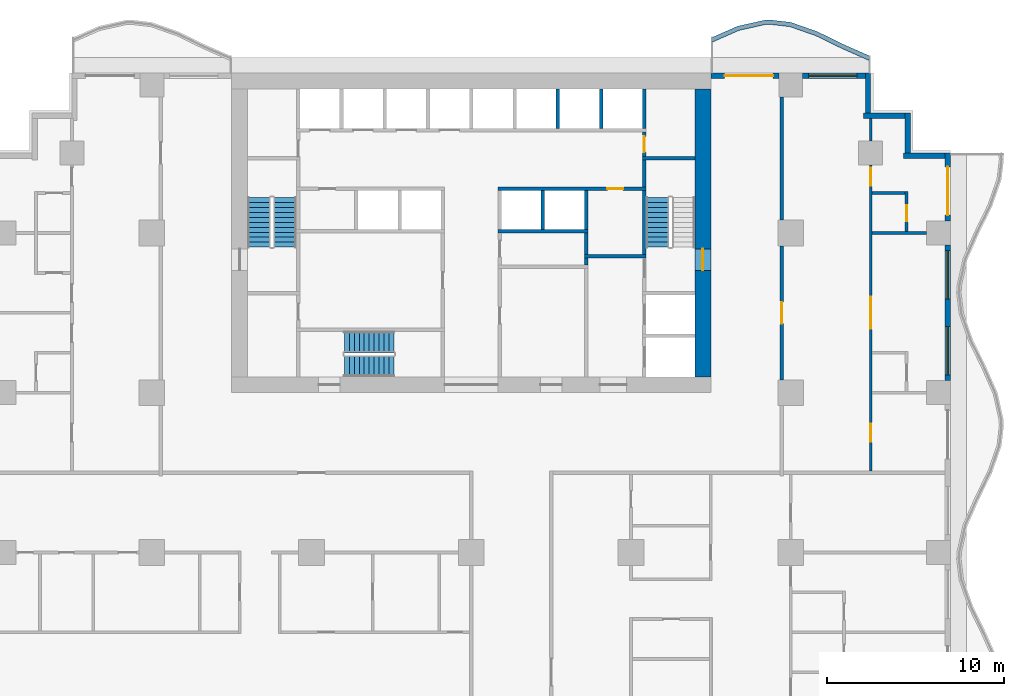
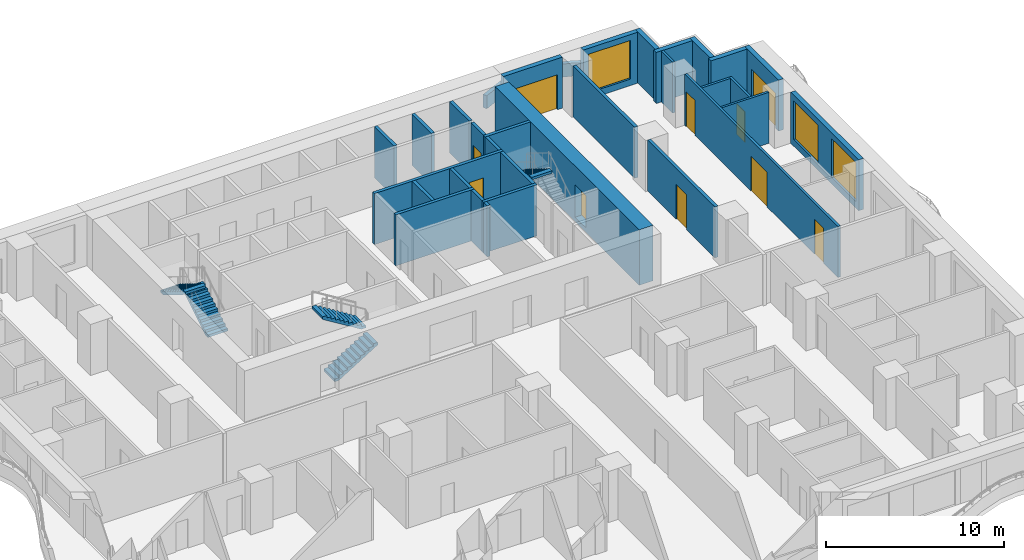
# One storey, part 6 of 14: 31 walls, 10 doors, 5 stair flights, 3 windows, 13 openings, 3 elements without a shape of their own.
"""IFC4 building model written with IfcOpenShell, lengths in metres."""

from ifc_helpers import new_model, si_unit, direction, frame, frame_2d, origin, place, context, subcontext, project, spatial, polyline, rectangle, outline, extrude, material, layer, layer_set, type_object, element, fill, aggregate, save


model = new_model("IFC4")

# Units and contexts
model_context = context("Model", 3, precision=1e-05, world=origin(), true_north=direction((0.0, 1.0)))
body_context = subcontext(model_context, "Body", "Model", "MODEL_VIEW")
ifc_project = project(units=[si_unit("LENGTHUNIT", "METRE"), si_unit("AREAUNIT", "SQUARE_METRE"), si_unit("VOLUMEUNIT", "CUBIC_METRE"), si_unit("PLANEANGLEUNIT", "RADIAN"), si_unit("MASSUNIT", "GRAM", prefix="KILO")], contexts=[model_context])

# Site, building, storey
site_placement = place(None, origin())
site = spatial("IfcSite", under=ifc_project, at=site_placement, CompositionType="ELEMENT")
building_placement = place(site_placement, origin())
building = spatial("IfcBuilding", under=site, at=building_placement, Name="Orbiselva Terraces", CompositionType="ELEMENT")
storey_placement = place(building_placement, frame((0.0, 0.0, 73.2)))
storey = spatial("IfcBuildingStorey", under=building, at=storey_placement, Name="L18", CompositionType="ELEMENT", Elevation=73.2)

# Wall, opening, door
ifc_material_1 = material(Name="Concrete C80/95", Category="concrete")
ifc_layer_1 = layer(ifc_material_1, 0.9)
ifc_layer_set_1 = layer_set([ifc_layer_1], Name="Concrete C80/95")
wall_type_1 = type_object("IfcWallType", Name="CORE WALL 900", PredefinedType="SHEAR", material=ifc_layer_set_1)
wall_1_placement = place(storey_placement, frame((13.05, 5.4, -0.3), z_axis=(0.0, 0.0, 1.0), x_axis=(0.0, 1.0, 0.0)))
wall_1 = element("IfcWall", 1, at=wall_1_placement, inside=storey, type_object=wall_type_1, Name="Core wall L18 east", PredefinedType="SHEAR", context=body_context, shape_type="SweptSolid", body=[
    extrude(rectangle(XDim=16.2, YDim=0.9, at=frame_2d((8.1, 0.0))), origin(), (0.0, 0.0, 1.0), 3.8),
])
opening_1_placement = place(wall_1_placement, frame((6.0, 0.0, 0.3)))
opening_1 = element("IfcOpeningElement", 2, at=opening_1_placement, cuts=wall_1, Name="Opening DS1200", PredefinedType="OPENING", context=body_context, shape_type="SweptSolid", body=[
    extrude(rectangle(XDim=1.2, YDim=2.2, at=frame_2d((0.6, 1.1))), frame((0.0, 0.46, 0.0), z_axis=(0.0, -1.0, 0.0), x_axis=(1.0, 0.0, 0.0)), (0.0, 0.0, 1.0), 0.92),
])
ifc_material_2 = material(Name="Steel fire door", Category="steel")
door_type_1 = type_object("IfcDoorType", Name="STAIR DOOR 1200", OperationType="NOTDEFINED", PredefinedType="DOOR", material=ifc_material_2)
door_1_placement = place(opening_1_placement, frame((1.2, 0.0, 0.0), z_axis=(0.0, 0.0, 1.0), x_axis=(-1.0, 0.0, 0.0)))
door_1 = element("IfcDoor", 3, at=door_1_placement, inside=storey, type_object=door_type_1, Name="L18 EXIT STAIR S2 door", OperationType="SINGLE_SWING_LEFT", OverallHeight=2.2, OverallWidth=1.2, PredefinedType="DOOR", context=body_context, shape_type="SweptSolid", body=[
    extrude(rectangle(XDim=1.2, YDim=2.2, at=frame_2d((0.6, 1.1))), frame((0.0, 0.025, 0.0), z_axis=(0.0, -1.0, 0.0), x_axis=(1.0, 0.0, 0.0)), (0.0, 0.0, 1.0), 0.05),
])
fill(opening_1, door_1)

# Wall
ifc_material_3 = material(Name="Masonry blockwork", Category="masonry")
ifc_layer_2 = layer(ifc_material_3, 0.2)
ifc_layer_set_2 = layer_set([ifc_layer_2], Name="Masonry blockwork")
wall_type_2 = type_object("IfcWallType", Name="CORE-WALL-PARTITION-200", PredefinedType="PARTITIONING", material=ifc_layer_set_2)
wall_2_placement = place(storey_placement, frame((6.475, 12.3, 0.0), z_axis=(0.0, 0.0, 1.0), x_axis=(0.0, 1.0, 0.0)))
element("IfcWall", 4, at=wall_2_placement, inside=storey, type_object=wall_type_2, Name="L18 core wall 35", PredefinedType="PARTITIONING", context=body_context, shape_type="SweptSolid", body=[
    extrude(rectangle(XDim=1.2, YDim=0.2, at=frame_2d((0.6, 0.0))), origin(), (0.0, 0.0, 1.0), 3.5),
])

# Wall, opening, door
wall_3_placement = place(storey_placement, frame((9.75, 19.2, 0.0), z_axis=(0.0, 0.0, 1.0), x_axis=(0.0, -1.0, 0.0)))
wall_3 = element("IfcWall", 5, at=wall_3_placement, inside=storey, type_object=wall_type_2, Name="L18 core wall 46", PredefinedType="PARTITIONING", context=body_context, shape_type="SweptSolid", body=[
    extrude(rectangle(XDim=1.4, YDim=0.2, at=frame_2d((0.7, 0.0))), origin(), (0.0, 0.0, 1.0), 3.5),
])
opening_2_placement = place(wall_3_placement, frame((0.25, 0.0, 0.0)))
opening_2 = element("IfcOpeningElement", 6, at=opening_2_placement, cuts=wall_3, Name="Opening DR900", PredefinedType="OPENING", context=body_context, shape_type="SweptSolid", body=[
    extrude(rectangle(XDim=0.9, YDim=2.1, at=frame_2d((0.45, 1.05))), frame((0.0, 0.11, 0.0), z_axis=(0.0, -1.0, 0.0), x_axis=(1.0, 0.0, 0.0)), (0.0, 0.0, 1.0), 0.22),
])
door_type_2 = type_object("IfcDoorType", Name="ROOM DOOR 900", OperationType="NOTDEFINED", PredefinedType="DOOR", material=ifc_material_2)
door_2_placement = place(opening_2_placement, origin())
door_2 = element("IfcDoor", 7, at=door_2_placement, inside=storey, type_object=door_type_2, Name="L18 ELECTRICAL RISER ROOM door", OperationType="SINGLE_SWING_RIGHT", OverallHeight=2.1, OverallWidth=0.9, PredefinedType="DOOR", context=body_context, shape_type="SweptSolid", body=[
    extrude(rectangle(XDim=0.9, YDim=2.1, at=frame_2d((0.45, 1.05))), frame((0.0, 0.025, 0.0), z_axis=(0.0, -1.0, 0.0), x_axis=(1.0, 0.0, 0.0)), (0.0, 0.0, 1.0), 0.05),
])
fill(opening_2, door_2)

# Walls
ifc_material_4 = material(Name="Concrete C40/50", Category="concrete")
ifc_layer_3 = layer(ifc_material_4, 0.2)
ifc_layer_set_3 = layer_set([ifc_layer_3], Name="Concrete C40/50")
wall_type_3 = type_object("IfcWallType", Name="CORE-WALL-SHAFT-200", PredefinedType="PARTITIONING", material=ifc_layer_set_3)
for number, where, z_axis, x_axis, name in (
    (8, (4.0375, 13.7, 0.0), (0.0, 0.0, 1.0), (0.0, 1.0, 0.0), "L18 core wall 30"),
    (9, (4.875, 19.4, 0.0), (0.0, 0.0, 1.0), (0.0, 1.0, 0.0), "L18 core wall 31"),
    (10, (6.475, 13.7, 0.0), (0.0, 0.0, 1.0), (0.0, 1.0, 0.0), "L18 core wall 36"),
    (11, (7.3125, 19.4, 0.0), (0.0, 0.0, 1.0), (0.0, 1.0, 0.0), "L18 core wall 37"),
    (12, (9.75, 19.4, 0.0), (0.0, 0.0, 1.0), (0.0, 1.0, 0.0), "L18 core wall 47"),
):
    element("IfcWall", number, at=place(storey_placement, frame(where, z_axis=z_axis, x_axis=x_axis)), inside=storey, type_object=wall_type_3, Name=name, PredefinedType="PARTITIONING", context=body_context, shape_type="SweptSolid", body=[
        extrude(rectangle(XDim=2.2, YDim=0.2, at=frame_2d((1.1, 0.0))), origin(), (0.0, 0.0, 1.0), 3.5),
    ])
ifc_material_5 = material(Name="Concrete C60/75", Category="concrete")
ifc_layer_4 = layer(ifc_material_5, 0.2)
ifc_layer_set_4 = layer_set([ifc_layer_4], Name="Concrete C60/75")
wall_type_4 = type_object("IfcWallType", Name="CORE-WALL-SHEAR-200", PredefinedType="SHEAR", material=ifc_layer_set_4)
wall_4_placement = place(storey_placement, frame((1.5, 13.6, 0.0), z_axis=(0.0, 0.0, 1.0), x_axis=(1.0, 0.0, 0.0)))
element("IfcWall", 13, at=wall_4_placement, inside=storey, type_object=wall_type_4, Name="L18 core wall 26", PredefinedType="SHEAR", context=body_context, shape_type="SweptSolid", body=[
    extrude(rectangle(XDim=5.075, YDim=0.2, at=frame_2d((2.5375, 0.0))), origin(), (0.0, 0.0, 1.0), 3.5),
])

# Wall, opening, door
wall_5_placement = place(storey_placement, frame((9.85, 16.0, 0.0), z_axis=(0.0, 0.0, 1.0), x_axis=(-1.0, 0.0, 0.0)))
wall_5 = element("IfcWall", 14, at=wall_5_placement, inside=storey, type_object=wall_type_4, Name="L18 core wall 28", PredefinedType="SHEAR", context=body_context, shape_type="SweptSolid", body=[
    extrude(rectangle(XDim=8.35, YDim=0.2, at=frame_2d((4.175, 0.0))), origin(), (0.0, 0.0, 1.0), 3.5),
])
opening_3_placement = place(wall_5_placement, frame((1.2875, 0.0, 0.0)))
opening_3 = element("IfcOpeningElement", 15, at=opening_3_placement, cuts=wall_5, Name="Opening DR900", PredefinedType="OPENING", context=body_context, shape_type="SweptSolid", body=[
    extrude(rectangle(XDim=0.9, YDim=2.1, at=frame_2d((0.45, 1.05))), frame((0.0, 0.11, 0.0), z_axis=(0.0, -1.0, 0.0), x_axis=(1.0, 0.0, 0.0)), (0.0, 0.0, 1.0), 0.22),
])
door_3_placement = place(opening_3_placement, origin())
door_3 = element("IfcDoor", 16, at=door_3_placement, inside=storey, type_object=door_type_2, Name="L18 PIPE RISER ROOM door", OperationType="SINGLE_SWING_LEFT", OverallHeight=2.1, OverallWidth=0.9, PredefinedType="DOOR", context=body_context, shape_type="SweptSolid", body=[
    extrude(rectangle(XDim=0.9, YDim=2.1, at=frame_2d((0.45, 1.05))), frame((0.0, 0.025, 0.0), z_axis=(0.0, -1.0, 0.0), x_axis=(1.0, 0.0, 0.0)), (0.0, 0.0, 1.0), 0.05),
])
fill(opening_3, door_3)

# Walls
wall_6_placement = place(storey_placement, frame((6.475, 11.7, 0.0), z_axis=(0.0, 0.0, 1.0), x_axis=(0.0, 1.0, 0.0)))
element("IfcWall", 17, at=wall_6_placement, inside=storey, type_object=wall_type_4, Name="L18 core wall 33", PredefinedType="SHEAR", context=body_context, shape_type="SweptSolid", body=[
    extrude(rectangle(XDim=0.4, YDim=0.2, at=frame_2d((0.2, 0.0))), origin(), (0.0, 0.0, 1.0), 3.5),
])
wall_7_placement = place(storey_placement, frame((6.375, 12.2, 0.0), z_axis=(0.0, 0.0, 1.0), x_axis=(1.0, 0.0, 0.0)))
element("IfcWall", 18, at=wall_7_placement, inside=storey, type_object=wall_type_4, Name="L18 core wall 34", PredefinedType="SHEAR", context=body_context, shape_type="SweptSolid", body=[
    extrude(rectangle(XDim=3.475, YDim=0.2, at=frame_2d((1.7375, 0.0))), origin(), (0.0, 0.0, 1.0), 3.5),
])
wall_8_placement = place(storey_placement, frame((9.75, 12.3, 0.0), z_axis=(0.0, 0.0, 1.0), x_axis=(0.0, 1.0, 0.0)))
element("IfcWall", 19, at=wall_8_placement, inside=storey, type_object=wall_type_4, Name="L18 core wall 43", PredefinedType="SHEAR", context=body_context, shape_type="SweptSolid", body=[
    extrude(rectangle(XDim=3.6, YDim=0.2, at=frame_2d((1.8, 0.0))), origin(), (0.0, 0.0, 1.0), 3.5),
])
wall_9_placement = place(storey_placement, frame((9.75, 16.1, 0.0), z_axis=(0.0, 0.0, 1.0), x_axis=(0.0, 1.0, 0.0)))
element("IfcWall", 20, at=wall_9_placement, inside=storey, type_object=wall_type_4, Name="L18 core wall 44", PredefinedType="SHEAR", context=body_context, shape_type="SweptSolid", body=[
    extrude(rectangle(XDim=1.5, YDim=0.2, at=frame_2d((0.75, 0.0))), origin(), (0.0, 0.0, 1.0), 3.5),
])
wall_10_placement = place(storey_placement, frame((9.65, 17.7, 0.0), z_axis=(0.0, 0.0, 1.0), x_axis=(1.0, 0.0, 0.0)))
element("IfcWall", 21, at=wall_10_placement, inside=storey, type_object=wall_type_4, Name="L18 core wall 45", PredefinedType="SHEAR", context=body_context, shape_type="SweptSolid", body=[
    extrude(rectangle(XDim=2.95, YDim=0.2, at=frame_2d((1.475, 0.0))), origin(), (0.0, 0.0, 1.0), 3.5),
])
ifc_layer_5 = layer(ifc_material_4, 0.25)
ifc_layer_set_5 = layer_set([ifc_layer_5], Name="Concrete C40/50")
wall_type_5 = type_object("IfcWallType", Name="ENV-PLANTER-250x900", PredefinedType="USERDEFINED", material=ifc_layer_set_5)
wall_11_placement = place(storey_placement, origin())
element("IfcWall", 22, at=wall_11_placement, inside=storey, type_object=wall_type_5, Name="Balcony planter L18 NE", ObjectType="PLANTER", PredefinedType="USERDEFINED", context=body_context, shape_type="SweptSolid", body=[
    extrude(outline(polyline([(22.5, 23.451472), (21.0, 24.112279), (19.5, 24.844789), (18.0, 25.369208), (16.875, 25.5), (16.5, 25.485226), (15.0, 25.148528), (13.5, 24.487721), (13.600788, 24.258938), (15.078508, 24.90993), (16.532565, 25.236315), (16.865428, 25.249429), (17.943629, 25.124078), (19.40356, 24.613667), (20.894714, 23.885477), (22.399212, 23.222689), (22.5, 23.451472)])), origin(), (0.0, 0.0, 1.0), 0.9),
])

# Wall, openings, windows
ifc_material_6 = material(Name="Terracotta cladding on masonry backing", Category="masonry")
ifc_layer_6 = layer(ifc_material_6, 0.3)
ifc_layer_set_6 = layer_set([ifc_layer_6], Name="Terracotta cladding on masonry backing")
wall_type_6 = type_object("IfcWallType", Name="ENV-WALL-TERRACOTTA-300", PredefinedType="SOLIDWALL", material=ifc_layer_set_6)
wall_12_placement = place(storey_placement, frame((26.85, 12.825, 0.0), z_axis=(0.0, 0.0, 1.0), x_axis=(0.0, -1.0, 0.0)))
wall_12 = element("IfcWall", 23, at=wall_12_placement, inside=storey, type_object=wall_type_6, Name="Facade wall L18 E", PredefinedType="SOLIDWALL", context=body_context, shape_type="SweptSolid", body=[
    extrude(rectangle(XDim=7.65, YDim=0.3, at=frame_2d((3.825, 0.0))), origin(), (0.0, 0.0, 1.0), 3.5),
])
opening_4_placement = place(wall_12_placement, frame((4.6, 0.0, 0.45)))
opening_4 = element("IfcOpeningElement", 24, at=opening_4_placement, cuts=wall_12, Name="Opening WN5", PredefinedType="OPENING", context=body_context, shape_type="SweptSolid", body=[
    extrude(rectangle(XDim=2.725, YDim=2.65, at=frame_2d((1.3625, 1.325))), frame((0.0, 0.16, 0.0), z_axis=(0.0, -1.0, 0.0), x_axis=(1.0, 0.0, 0.0)), (0.0, 0.0, 1.0), 0.32),
])
opening_5_placement = place(wall_12_placement, frame((0.325, 0.0, 0.45)))
opening_5 = element("IfcOpeningElement", 25, at=opening_5_placement, cuts=wall_12, Name="Opening WN5", PredefinedType="OPENING", context=body_context, shape_type="SweptSolid", body=[
    extrude(rectangle(XDim=2.725, YDim=2.65, at=frame_2d((1.3625, 1.325))), frame((0.0, 0.16, 0.0), z_axis=(0.0, -1.0, 0.0), x_axis=(1.0, 0.0, 0.0)), (0.0, 0.0, 1.0), 0.32),
])
ifc_material_7 = material(Name="Clear low-e glazing in aluminium frame", Category="aluminium")
window_type = type_object("IfcWindowType", Name="WINDOW 2725 X 2650 S450", PartitioningType="TRIPLE_PANEL_VERTICAL", PredefinedType="WINDOW", material=ifc_material_7)
window_1_placement = place(opening_4_placement, origin())
window_1 = element("IfcWindow", 26, at=window_1_placement, inside=storey, type_object=window_type, Name="Window L18 E", OverallHeight=2.65, OverallWidth=2.725, PartitioningType="SINGLE_PANEL", PredefinedType="WINDOW", context=body_context, shape_type="SweptSolid", body=[
    extrude(rectangle(XDim=2.725, YDim=2.65, at=frame_2d((1.3625, 1.325))), frame((0.0, 0.03, 0.0), z_axis=(0.0, -1.0, 0.0), x_axis=(1.0, 0.0, 0.0)), (0.0, 0.0, 1.0), 0.06),
])
fill(opening_4, window_1)
window_2_placement = place(opening_5_placement, origin())
window_2 = element("IfcWindow", 27, at=window_2_placement, inside=storey, type_object=window_type, Name="Window L18 E", OverallHeight=2.65, OverallWidth=2.725, PartitioningType="SINGLE_PANEL", PredefinedType="WINDOW", context=body_context, shape_type="SweptSolid", body=[
    extrude(rectangle(XDim=2.725, YDim=2.65, at=frame_2d((1.3625, 1.325))), frame((0.0, 0.03, 0.0), z_axis=(0.0, -1.0, 0.0), x_axis=(1.0, 0.0, 0.0)), (0.0, 0.0, 1.0), 0.06),
])
fill(opening_5, window_2)

# Wall, opening, door
wall_13_placement = place(storey_placement, frame((26.85, 18.0, 0.0), z_axis=(0.0, 0.0, 1.0), x_axis=(0.0, -1.0, 0.0)))
wall_13 = element("IfcWall", 28, at=wall_13_placement, inside=storey, type_object=wall_type_6, Name="Facade wall L18 E", PredefinedType="SOLIDWALL", context=body_context, shape_type="SweptSolid", body=[
    extrude(rectangle(XDim=3.825, YDim=0.3, at=frame_2d((1.9125, 0.0))), origin(), (0.0, 0.0, 1.0), 3.5),
])
opening_6_placement = place(wall_13_placement, frame((0.775, 0.0, 0.0)))
opening_6 = element("IfcOpeningElement", 29, at=opening_6_placement, cuts=wall_13, Name="Opening Z2-A-E14", PredefinedType="OPENING", context=body_context, shape_type="SweptSolid", body=[
    extrude(rectangle(XDim=2.725, YDim=2.4, at=frame_2d((1.3625, 1.2))), frame((0.0, 0.16, 0.0), z_axis=(0.0, -1.0, 0.0), x_axis=(1.0, 0.0, 0.0)), (0.0, 0.0, 1.0), 0.32),
])
door_type_3 = type_object("IfcDoorType", Name="BALCONY DOOR 2725 X 2400", OperationType="DOUBLE_DOOR_SLIDING", PredefinedType="DOOR", material=ifc_material_7)
door_4_placement = place(opening_6_placement, origin())
door_4 = element("IfcDoor", 30, at=door_4_placement, inside=storey, type_object=door_type_3, Name="Z2-A-E14", OperationType="SINGLE_SWING_LEFT", OverallHeight=2.4, OverallWidth=2.725, PredefinedType="DOOR", context=body_context, shape_type="SweptSolid", body=[
    extrude(rectangle(XDim=2.725, YDim=2.4, at=frame_2d((1.3625, 1.2))), frame((0.0, 0.025, 0.0), z_axis=(0.0, -1.0, 0.0), x_axis=(1.0, 0.0, 0.0)), (0.0, 0.0, 1.0), 0.05),
])
fill(opening_6, door_4)

# Walls
wall_14_placement = place(storey_placement, frame((24.35, 17.85, 0.0), z_axis=(0.0, 0.0, 1.0), x_axis=(1.0, 0.0, 0.0)))
element("IfcWall", 31, at=wall_14_placement, inside=storey, type_object=wall_type_6, Name="Facade wall L18 STEP", PredefinedType="SOLIDWALL", context=body_context, shape_type="SweptSolid", body=[
    extrude(rectangle(XDim=2.35, YDim=0.3, at=frame_2d((1.175, 0.0))), origin(), (0.0, 0.0, 1.0), 3.5),
])
wall_15_placement = place(storey_placement, frame((24.6, 20.25, 0.0), z_axis=(0.0, 0.0, 1.0), x_axis=(0.0, -1.0, 0.0)))
element("IfcWall", 32, at=wall_15_placement, inside=storey, type_object=wall_type_6, Name="Facade wall L18 STEP", PredefinedType="SOLIDWALL", context=body_context, shape_type="SweptSolid", body=[
    extrude(rectangle(XDim=2.25, YDim=0.3, at=frame_2d((1.125, 0.0))), origin(), (0.0, 0.0, 1.0), 3.5),
])
wall_16_placement = place(storey_placement, frame((22.1, 20.1, 0.0), z_axis=(0.0, 0.0, 1.0), x_axis=(1.0, 0.0, 0.0)))
element("IfcWall", 33, at=wall_16_placement, inside=storey, type_object=wall_type_6, Name="Facade wall L18 STEP", PredefinedType="SOLIDWALL", context=body_context, shape_type="SweptSolid", body=[
    extrude(rectangle(XDim=2.35, YDim=0.3, at=frame_2d((1.175, 0.0))), origin(), (0.0, 0.0, 1.0), 3.5),
])
wall_17_placement = place(storey_placement, frame((22.35, 22.5, 0.0), z_axis=(0.0, 0.0, 1.0), x_axis=(0.0, -1.0, 0.0)))
element("IfcWall", 34, at=wall_17_placement, inside=storey, type_object=wall_type_6, Name="Facade wall L18 STEP", PredefinedType="SOLIDWALL", context=body_context, shape_type="SweptSolid", body=[
    extrude(rectangle(XDim=2.25, YDim=0.3, at=frame_2d((1.125, 0.0))), origin(), (0.0, 0.0, 1.0), 3.5),
])

# Wall, opening, window
wall_18_placement = place(storey_placement, frame((18.675, 22.35, 0.0), z_axis=(0.0, 0.0, 1.0), x_axis=(1.0, 0.0, 0.0)))
wall_18 = element("IfcWall", 35, at=wall_18_placement, inside=storey, type_object=wall_type_6, Name="Facade wall L18 NE", PredefinedType="SOLIDWALL", context=body_context, shape_type="SweptSolid", body=[
    extrude(rectangle(XDim=3.525, YDim=0.3, at=frame_2d((1.7625, 0.0))), origin(), (0.0, 0.0, 1.0), 3.5),
])
opening_7_placement = place(wall_18_placement, frame((0.325, 0.0, 0.45)))
opening_7 = element("IfcOpeningElement", 36, at=opening_7_placement, cuts=wall_18, Name="Opening WN5", PredefinedType="OPENING", context=body_context, shape_type="SweptSolid", body=[
    extrude(rectangle(XDim=2.725, YDim=2.65, at=frame_2d((1.3625, 1.325))), frame((0.0, 0.16, 0.0), z_axis=(0.0, -1.0, 0.0), x_axis=(1.0, 0.0, 0.0)), (0.0, 0.0, 1.0), 0.32),
])
window_3_placement = place(opening_7_placement, origin())
window_3 = element("IfcWindow", 37, at=window_3_placement, inside=storey, type_object=window_type, Name="Window L18 NE", OverallHeight=2.65, OverallWidth=2.725, PartitioningType="SINGLE_PANEL", PredefinedType="WINDOW", context=body_context, shape_type="SweptSolid", body=[
    extrude(rectangle(XDim=2.725, YDim=2.65, at=frame_2d((1.3625, 1.325))), frame((0.0, 0.03, 0.0), z_axis=(0.0, -1.0, 0.0), x_axis=(1.0, 0.0, 0.0)), (0.0, 0.0, 1.0), 0.06),
])
fill(opening_7, window_3)

# Wall, opening, door
wall_19_placement = place(storey_placement, frame((13.5, 22.35, 0.0), z_axis=(0.0, 0.0, 1.0), x_axis=(1.0, 0.0, 0.0)))
wall_19 = element("IfcWall", 38, at=wall_19_placement, inside=storey, type_object=wall_type_6, Name="Facade wall L18 NE", PredefinedType="SOLIDWALL", context=body_context, shape_type="SweptSolid", body=[
    extrude(rectangle(XDim=3.825, YDim=0.3, at=frame_2d((1.9125, 0.0))), origin(), (0.0, 0.0, 1.0), 3.5),
])
opening_8_placement = place(wall_19_placement, frame((0.775, 0.0, 0.0)))
opening_8 = element("IfcOpeningElement", 39, at=opening_8_placement, cuts=wall_19, Name="Opening Z2-A-E08", PredefinedType="OPENING", context=body_context, shape_type="SweptSolid", body=[
    extrude(rectangle(XDim=2.725, YDim=2.4, at=frame_2d((1.3625, 1.2))), frame((0.0, 0.16, 0.0), z_axis=(0.0, -1.0, 0.0), x_axis=(1.0, 0.0, 0.0)), (0.0, 0.0, 1.0), 0.32),
])
door_5_placement = place(opening_8_placement, origin())
door_5 = element("IfcDoor", 40, at=door_5_placement, inside=storey, type_object=door_type_3, Name="Z2-A-E08", OperationType="SINGLE_SWING_LEFT", OverallHeight=2.4, OverallWidth=2.725, PredefinedType="DOOR", context=body_context, shape_type="SweptSolid", body=[
    extrude(rectangle(XDim=2.725, YDim=2.4, at=frame_2d((1.3625, 1.2))), frame((0.0, 0.025, 0.0), z_axis=(0.0, -1.0, 0.0), x_axis=(1.0, 0.0, 0.0)), (0.0, 0.0, 1.0), 0.05),
])
fill(opening_8, door_5)

ifc_material_8 = material(Name="Plasterboard on steel stud partition", Category="steel")
ifc_layer_7 = layer(ifc_material_8, 0.2)
ifc_layer_set_7 = layer_set([ifc_layer_7], Name="Plasterboard on steel stud partition")
wall_type_7 = type_object("IfcWallType", Name="UNIT-ENTRANCE-WALL-200", PredefinedType="PARTITIONING", material=ifc_layer_set_7)
wall_20_placement = place(storey_placement, frame((17.5, 12.775, 0.0), z_axis=(0.0, 0.0, 1.0), x_axis=(0.0, -1.0, 0.0)))
wall_20 = element("IfcWall", 41, at=wall_20_placement, inside=storey, type_object=wall_type_7, Name="PARTITION L18-076", PredefinedType="PARTITIONING", context=body_context, shape_type="SweptSolid", body=[
    extrude(rectangle(XDim=7.55, YDim=0.2, at=frame_2d((3.775, 0.0))), origin(), (0.0, 0.0, 1.0), 3.5),
])
opening_9_placement = place(wall_20_placement, frame((3.175, 0.0, 0.0)))
opening_9 = element("IfcOpeningElement", 42, at=opening_9_placement, cuts=wall_20, Name="Opening Z2-A-09", PredefinedType="OPENING", context=body_context, shape_type="SweptSolid", body=[
    extrude(rectangle(XDim=1.2, YDim=2.4, at=frame_2d((0.6, 1.2))), frame((0.0, 0.11, 0.0), z_axis=(0.0, -1.0, 0.0), x_axis=(1.0, 0.0, 0.0)), (0.0, 0.0, 1.0), 0.22),
])
ifc_material_9 = material(Name="Painted timber door leaf", Category="wood")
door_type_4 = type_object("IfcDoorType", Name="ENTRANCE DOOR 1200", OperationType="NOTDEFINED", PredefinedType="DOOR", material=ifc_material_9)
door_6_placement = place(opening_9_placement, origin())
door_6 = element("IfcDoor", 43, at=door_6_placement, inside=storey, type_object=door_type_4, Name="Z2-A-09", OperationType="SINGLE_SWING_RIGHT", OverallHeight=2.4, OverallWidth=1.2, PredefinedType="DOOR", context=body_context, shape_type="SweptSolid", body=[
    extrude(rectangle(XDim=1.2, YDim=2.4, at=frame_2d((0.6, 1.2))), frame((0.0, 0.025, 0.0), z_axis=(0.0, -1.0, 0.0), x_axis=(1.0, 0.0, 0.0)), (0.0, 0.0, 1.0), 0.05),
])
fill(opening_9, door_6)

# Walls
wall_21_placement = place(storey_placement, frame((17.5, 14.225, 0.0), z_axis=(0.0, 0.0, 1.0), x_axis=(0.0, 1.0, 0.0)))
element("IfcWall", 44, at=wall_21_placement, inside=storey, type_object=wall_type_7, Name="PARTITION L18-077", PredefinedType="PARTITIONING", context=body_context, shape_type="SweptSolid", body=[
    extrude(rectangle(XDim=6.925, YDim=0.2, at=frame_2d((3.4625, 0.0))), origin(), (0.0, 0.0, 1.0), 3.5),
])
ifc_layer_8 = layer(ifc_material_8, 0.15)
ifc_layer_set_8 = layer_set([ifc_layer_8], Name="Plasterboard on steel stud partition")
wall_type_8 = type_object("IfcWallType", Name="UNIT-PARTITION-150", PredefinedType="PARTITIONING", material=ifc_layer_set_8)
wall_22_placement = place(storey_placement, frame((22.575, 13.5, 0.0), z_axis=(0.0, 0.0, 1.0), x_axis=(1.0, 0.0, 0.0)))
element("IfcWall", 45, at=wall_22_placement, inside=storey, type_object=wall_type_8, Name="PARTITION L18-040", PredefinedType="PARTITIONING", context=body_context, shape_type="SweptSolid", body=[
    extrude(rectangle(XDim=3.075, YDim=0.15, at=frame_2d((1.5375, 0.0))), origin(), (0.0, 0.0, 1.0), 3.5),
])
wall_23_placement = place(storey_placement, frame((22.575, 15.75, 0.0), z_axis=(0.0, 0.0, 1.0), x_axis=(1.0, 0.0, 0.0)))
element("IfcWall", 46, at=wall_23_placement, inside=storey, type_object=wall_type_8, Name="PARTITION L18-042", PredefinedType="PARTITIONING", context=body_context, shape_type="SweptSolid", body=[
    extrude(rectangle(XDim=1.875, YDim=0.15, at=frame_2d((0.9375, 0.0))), origin(), (0.0, 0.0, 1.0), 3.5),
])

# Wall, openings, doors
wall_24_placement = place(storey_placement, frame((22.5, 17.325, 0.0), z_axis=(0.0, 0.0, 1.0), x_axis=(0.0, -1.0, 0.0)))
wall_24 = element("IfcWall", 47, at=wall_24_placement, inside=storey, type_object=wall_type_8, Name="PARTITION L18-083", PredefinedType="PARTITIONING", context=body_context, shape_type="SweptSolid", body=[
    extrude(rectangle(XDim=17.225, YDim=0.15, at=frame_2d((8.6125, 0.0))), origin(), (0.0, 0.0, 1.0), 3.5),
])
opening_10_placement = place(wall_24_placement, frame((14.575, 0.0, 0.0)))
opening_10 = element("IfcOpeningElement", 48, at=opening_10_placement, cuts=wall_24, Name="Opening Z2-A-10", PredefinedType="OPENING", context=body_context, shape_type="SweptSolid", body=[
    extrude(rectangle(XDim=1.0, YDim=2.4, at=frame_2d((0.5, 1.2))), frame((0.0, 0.085, 0.0), z_axis=(0.0, -1.0, 0.0), x_axis=(1.0, 0.0, 0.0)), (0.0, 0.0, 1.0), 0.17),
])
opening_11_placement = place(wall_24_placement, frame((7.425, 0.0, 0.0)))
opening_11 = element("IfcOpeningElement", 49, at=opening_11_placement, cuts=wall_24, Name="Opening Z2-A-11", PredefinedType="OPENING", context=body_context, shape_type="SweptSolid", body=[
    extrude(rectangle(XDim=1.8, YDim=2.4, at=frame_2d((0.9, 1.2))), frame((0.0, 0.085, 0.0), z_axis=(0.0, -1.0, 0.0), x_axis=(1.0, 0.0, 0.0)), (0.0, 0.0, 1.0), 0.17),
])
opening_12_placement = place(wall_24_placement, frame((0.15, 0.0, 0.0)))
opening_12 = element("IfcOpeningElement", 50, at=opening_12_placement, cuts=wall_24, Name="Opening Z2-A-13", PredefinedType="OPENING", context=body_context, shape_type="SweptSolid", body=[
    extrude(rectangle(XDim=1.0, YDim=2.4, at=frame_2d((0.5, 1.2))), frame((0.0, 0.085, 0.0), z_axis=(0.0, -1.0, 0.0), x_axis=(1.0, 0.0, 0.0)), (0.0, 0.0, 1.0), 0.17),
])
door_type_5 = type_object("IfcDoorType", Name="DOUBLE DOOR 1800", OperationType="NOTDEFINED", PredefinedType="DOOR", material=ifc_material_9)
door_7_placement = place(opening_11_placement, origin())
door_7 = element("IfcDoor", 51, at=door_7_placement, inside=storey, type_object=door_type_5, Name="Z2-A-11", OperationType="DOUBLE_DOOR_SINGLE_SWING", OverallHeight=2.4, OverallWidth=1.8, PredefinedType="DOOR", context=body_context, shape_type="SweptSolid", body=[
    extrude(rectangle(XDim=1.8, YDim=2.4, at=frame_2d((0.9, 1.2))), frame((0.0, 0.025, 0.0), z_axis=(0.0, -1.0, 0.0), x_axis=(1.0, 0.0, 0.0)), (0.0, 0.0, 1.0), 0.05),
])
fill(opening_11, door_7)
door_type_6 = type_object("IfcDoorType", Name="ROOM DOOR 1000", OperationType="NOTDEFINED", PredefinedType="DOOR", material=ifc_material_9)
door_8_placement = place(opening_10_placement, origin())
door_8 = element("IfcDoor", 52, at=door_8_placement, inside=storey, type_object=door_type_6, Name="Z2-A-10", OperationType="SINGLE_SWING_RIGHT", OverallHeight=2.4, OverallWidth=1.0, PredefinedType="DOOR", context=body_context, shape_type="SweptSolid", body=[
    extrude(rectangle(XDim=1.0, YDim=2.4, at=frame_2d((0.5, 1.2))), frame((0.0, 0.025, 0.0), z_axis=(0.0, -1.0, 0.0), x_axis=(1.0, 0.0, 0.0)), (0.0, 0.0, 1.0), 0.05),
])
fill(opening_10, door_8)
door_9_placement = place(opening_12_placement, origin())
door_9 = element("IfcDoor", 53, at=door_9_placement, inside=storey, type_object=door_type_6, Name="Z2-A-13", OperationType="SINGLE_SWING_LEFT", OverallHeight=2.4, OverallWidth=1.0, PredefinedType="DOOR", context=body_context, shape_type="SweptSolid", body=[
    extrude(rectangle(XDim=1.0, YDim=2.4, at=frame_2d((0.5, 1.2))), frame((0.0, 0.025, 0.0), z_axis=(0.0, -1.0, 0.0), x_axis=(1.0, 0.0, 0.0)), (0.0, 0.0, 1.0), 0.05),
])
fill(opening_12, door_9)

# Wall
wall_25_placement = place(storey_placement, frame((22.5, 18.675, 0.0), z_axis=(0.0, 0.0, 1.0), x_axis=(0.0, 1.0, 0.0)))
element("IfcWall", 54, at=wall_25_placement, inside=storey, type_object=wall_type_8, Name="PARTITION L18-084", PredefinedType="PARTITIONING", context=body_context, shape_type="SweptSolid", body=[
    extrude(rectangle(XDim=1.275, YDim=0.15, at=frame_2d((0.6375, 0.0))), origin(), (0.0, 0.0, 1.0), 3.5),
])

# Wall, opening, door
wall_26_placement = place(storey_placement, frame((24.525, 13.575, 0.0), z_axis=(0.0, 0.0, 1.0), x_axis=(0.0, 1.0, 0.0)))
wall_26 = element("IfcWall", 55, at=wall_26_placement, inside=storey, type_object=wall_type_8, Name="PARTITION L18-086", PredefinedType="PARTITIONING", context=body_context, shape_type="SweptSolid", body=[
    extrude(rectangle(XDim=2.25, YDim=0.15, at=frame_2d((1.125, 0.0))), origin(), (0.0, 0.0, 1.0), 3.5),
])
opening_13_placement = place(wall_26_placement, frame((0.6, 0.0, 0.0)))
opening_13 = element("IfcOpeningElement", 56, at=opening_13_placement, cuts=wall_26, Name="Opening Z2-A-14", PredefinedType="OPENING", context=body_context, shape_type="SweptSolid", body=[
    extrude(rectangle(XDim=0.9, YDim=2.1, at=frame_2d((0.45, 1.05))), frame((0.0, 0.085, 0.0), z_axis=(0.0, -1.0, 0.0), x_axis=(1.0, 0.0, 0.0)), (0.0, 0.0, 1.0), 0.17),
])
door_type_7 = type_object("IfcDoorType", Name="BATH DOOR 900", OperationType="NOTDEFINED", PredefinedType="DOOR", material=ifc_material_9)
door_10_placement = place(opening_13_placement, origin())
door_10 = element("IfcDoor", 57, at=door_10_placement, inside=storey, type_object=door_type_7, Name="Z2-A-14", OperationType="SINGLE_SWING_LEFT", OverallHeight=2.1, OverallWidth=0.9, PredefinedType="DOOR", context=body_context, shape_type="SweptSolid", body=[
    extrude(rectangle(XDim=0.9, YDim=2.1, at=frame_2d((0.45, 1.05))), frame((0.0, 0.025, 0.0), z_axis=(0.0, -1.0, 0.0), x_axis=(1.0, 0.0, 0.0)), (0.0, 0.0, 1.0), 0.05),
])
fill(opening_13, door_10)

# Stair, stair flights
stair_type_1 = type_object("IfcStairType", Name="CORE-STAIR-1200", PredefinedType="HALF_TURN_STAIR", material=ifc_material_4)
stair_1_placement = place(storey_placement, origin())
stair_1 = element("IfcStair", 58, at=stair_1_placement, inside=storey, type_object=stair_type_1, Name="L18 Exit Stair S3", PredefinedType="HALF_TURN_STAIR")
stair_flight_type_1 = type_object("IfcStairFlightType", Name="CORE-STAIR-FLIGHT-1200", PredefinedType="STRAIGHT", material=ifc_material_4)
stair_flight_1_placement = place(storey_placement, frame((-7.15, 6.0, 0.0), z_axis=(0.0, 0.0, 1.0), x_axis=(1.0, 0.0, 0.0)))
stair_flight_1 = element("IfcStairFlight", 59, at=stair_flight_1_placement, type_object=stair_flight_type_1, Name="S3 flight 1", NumberOfRisers=11, NumberOfTreads=10, PredefinedType="STRAIGHT", RiserHeight=0.172727273, TreadLength=0.28, context=body_context, shape_type="SweptSolid", body=[
    extrude(outline(polyline([(0.0, 0.0), (0.0, 0.172727), (0.28, 0.172727), (0.28, 0.345455), (0.56, 0.345455), (0.56, 0.518182), (0.84, 0.518182), (0.84, 0.690909), (1.12, 0.690909), (1.12, 0.863636), (1.4, 0.863636), (1.4, 1.036364), (1.68, 1.036364), (1.68, 1.209091), (1.96, 1.209091), (1.96, 1.381818), (2.24, 1.381818), (2.24, 1.554545), (2.52, 1.554545), (2.52, 1.727273), (2.8, 1.727273), (2.8, 1.9), (2.8, 1.551028), (0.285702, 0.0), (0.0, 0.0)])), frame((0.0, 0.6, 0.0), z_axis=(0.0, -1.0, 0.0), x_axis=(1.0, 0.0, 0.0)), (0.0, 0.0, 1.0), 1.2),
])
stair_flight_2_placement = place(storey_placement, frame((-4.35, 7.35, 1.9), z_axis=(0.0, 0.0, 1.0), x_axis=(-1.0, 0.0, 0.0)))
stair_flight_2 = element("IfcStairFlight", 60, at=stair_flight_2_placement, type_object=stair_flight_type_1, Name="S3 flight 2", NumberOfRisers=11, NumberOfTreads=10, PredefinedType="STRAIGHT", RiserHeight=0.172727273, TreadLength=0.28, context=body_context, shape_type="SweptSolid", body=[
    extrude(outline(polyline([(0.0, 0.0), (0.0, 0.172727), (0.28, 0.172727), (0.28, 0.345455), (0.56, 0.345455), (0.56, 0.518182), (0.84, 0.518182), (0.84, 0.690909), (1.12, 0.690909), (1.12, 0.863636), (1.4, 0.863636), (1.4, 1.036364), (1.68, 1.036364), (1.68, 1.209091), (1.96, 1.209091), (1.96, 1.381818), (2.24, 1.381818), (2.24, 1.554545), (2.52, 1.554545), (2.52, 1.727273), (2.8, 1.727273), (2.8, 1.9), (2.8, 1.551028), (0.285702, 0.0), (0.0, 0.0)])), frame((0.0, 0.6, 0.0), z_axis=(0.0, -1.0, 0.0), x_axis=(1.0, 0.0, 0.0)), (0.0, 0.0, 1.0), 1.2),
])
aggregate(stair_1, [stair_flight_1, stair_flight_2])

stair_type_2 = type_object("IfcStairType", Name="CORE-STAIR-1300", PredefinedType="HALF_TURN_STAIR", material=ifc_material_4)
stair_2_placement = place(storey_placement, origin())
stair_2 = element("IfcStair", 61, at=stair_2_placement, inside=storey, type_object=stair_type_2, Name="L18 Exit Stair S1", PredefinedType="HALF_TURN_STAIR")
stair_flight_type_2 = type_object("IfcStairFlightType", Name="CORE-STAIR-FLIGHT-1300", PredefinedType="STRAIGHT", material=ifc_material_4)
stair_flight_3_placement = place(storey_placement, frame((-10.5, 12.7, 0.0), z_axis=(0.0, 0.0, 1.0), x_axis=(0.0, 1.0, 0.0)))
stair_flight_3 = element("IfcStairFlight", 62, at=stair_flight_3_placement, type_object=stair_flight_type_2, Name="S1 flight 1", NumberOfRisers=11, NumberOfTreads=10, PredefinedType="STRAIGHT", RiserHeight=0.172727273, TreadLength=0.28, context=body_context, shape_type="SweptSolid", body=[
    extrude(outline(polyline([(0.0, 0.0), (0.0, 0.172727), (0.28, 0.172727), (0.28, 0.345455), (0.56, 0.345455), (0.56, 0.518182), (0.84, 0.518182), (0.84, 0.690909), (1.12, 0.690909), (1.12, 0.863636), (1.4, 0.863636), (1.4, 1.036364), (1.68, 1.036364), (1.68, 1.209091), (1.96, 1.209091), (1.96, 1.381818), (2.24, 1.381818), (2.24, 1.554545), (2.52, 1.554545), (2.52, 1.727273), (2.8, 1.727273), (2.8, 1.9), (2.8, 1.551028), (0.285702, 0.0), (0.0, 0.0)])), frame((0.0, 0.65, 0.0), z_axis=(0.0, -1.0, 0.0), x_axis=(1.0, 0.0, 0.0)), (0.0, 0.0, 1.0), 1.3),
])
stair_flight_4_placement = place(storey_placement, frame((-11.95, 15.5, 1.9), z_axis=(0.0, 0.0, 1.0), x_axis=(0.0, -1.0, 0.0)))
stair_flight_4 = element("IfcStairFlight", 63, at=stair_flight_4_placement, type_object=stair_flight_type_2, Name="S1 flight 2", NumberOfRisers=11, NumberOfTreads=10, PredefinedType="STRAIGHT", RiserHeight=0.172727273, TreadLength=0.28, context=body_context, shape_type="SweptSolid", body=[
    extrude(outline(polyline([(0.0, 0.0), (0.0, 0.172727), (0.28, 0.172727), (0.28, 0.345455), (0.56, 0.345455), (0.56, 0.518182), (0.84, 0.518182), (0.84, 0.690909), (1.12, 0.690909), (1.12, 0.863636), (1.4, 0.863636), (1.4, 1.036364), (1.68, 1.036364), (1.68, 1.209091), (1.96, 1.209091), (1.96, 1.381818), (2.24, 1.381818), (2.24, 1.554545), (2.52, 1.554545), (2.52, 1.727273), (2.8, 1.727273), (2.8, 1.9), (2.8, 1.551028), (0.285702, 0.0), (0.0, 0.0)])), frame((0.0, 0.65, 0.0), z_axis=(0.0, -1.0, 0.0), x_axis=(1.0, 0.0, 0.0)), (0.0, 0.0, 1.0), 1.3),
])
aggregate(stair_2, [stair_flight_3, stair_flight_4])

# Stair, stair flight
stair_3_placement = place(storey_placement, origin())
stair_3 = element("IfcStair", 64, at=stair_3_placement, inside=storey, type_object=stair_type_2, Name="L18 Exit Stair S2", PredefinedType="HALF_TURN_STAIR")
stair_flight_5_placement = place(storey_placement, frame((10.5, 15.5, 1.9), z_axis=(0.0, 0.0, 1.0), x_axis=(0.0, -1.0, 0.0)))
stair_flight_5 = element("IfcStairFlight", 65, at=stair_flight_5_placement, type_object=stair_flight_type_2, Name="S2 flight 2", NumberOfRisers=11, NumberOfTreads=10, PredefinedType="STRAIGHT", RiserHeight=0.172727273, TreadLength=0.28, context=body_context, shape_type="SweptSolid", body=[
    extrude(outline(polyline([(0.0, 0.0), (0.0, 0.172727), (0.28, 0.172727), (0.28, 0.345455), (0.56, 0.345455), (0.56, 0.518182), (0.84, 0.518182), (0.84, 0.690909), (1.12, 0.690909), (1.12, 0.863636), (1.4, 0.863636), (1.4, 1.036364), (1.68, 1.036364), (1.68, 1.209091), (1.96, 1.209091), (1.96, 1.381818), (2.24, 1.381818), (2.24, 1.554545), (2.52, 1.554545), (2.52, 1.727273), (2.8, 1.727273), (2.8, 1.9), (2.8, 1.551028), (0.285702, 0.0), (0.0, 0.0)])), frame((0.0, 0.65, 0.0), z_axis=(0.0, -1.0, 0.0), x_axis=(1.0, 0.0, 0.0)), (0.0, 0.0, 1.0), 1.3),
])
aggregate(stair_3, [stair_flight_5])

save(model, "model.ifc")
